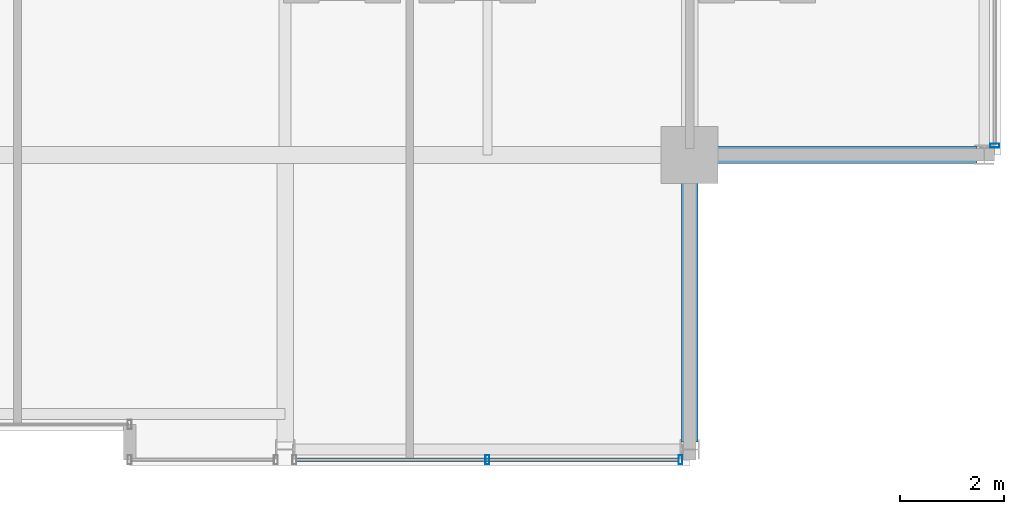
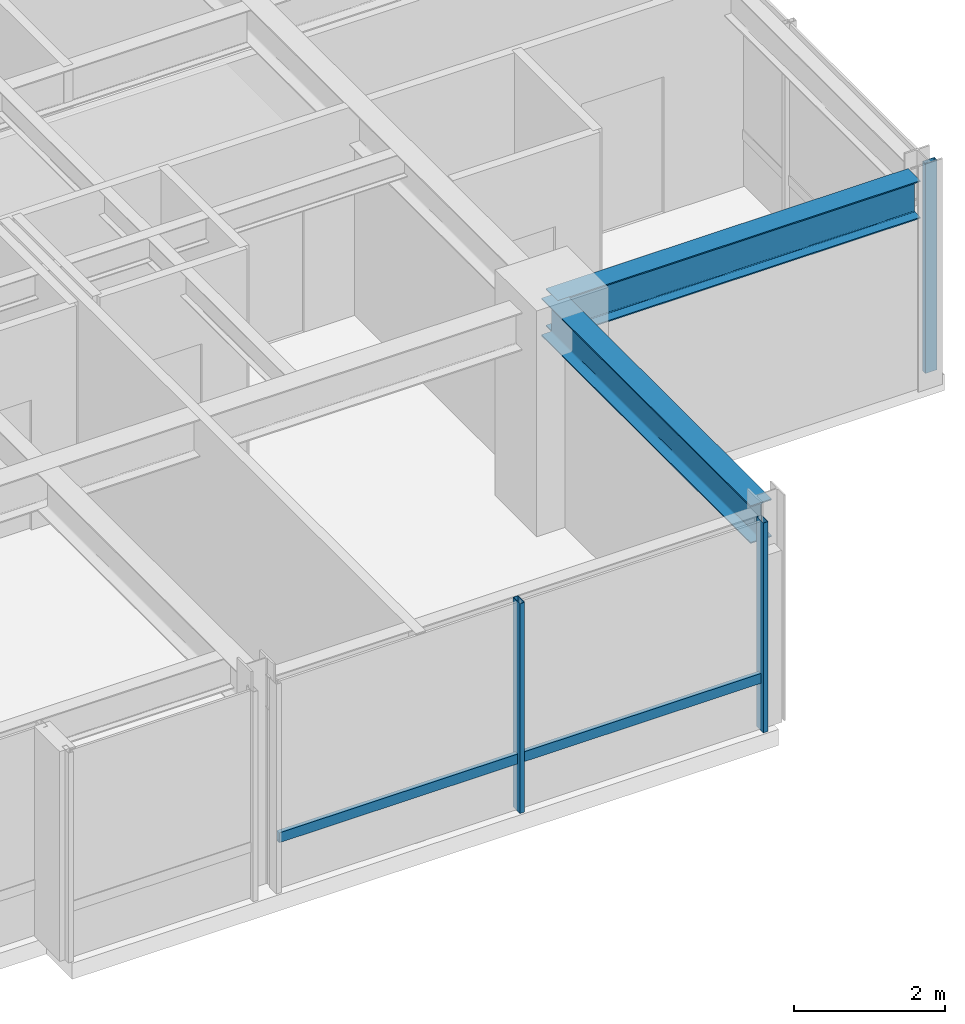
# One storey, part 15 of 33: 4 members, 2 beams, 2 elements without a shape of their own.
"""IFC4 building model written with IfcOpenShell, lengths in metres."""

from ifc_helpers import new_model, si_unit, direction, frame, origin, origin_2d, place, context, subcontext, project, spatial, hollow_rectangle, i_section, extrude, material, layer, layer_set, material_profile, profile_set, type_object, element, aggregate, save


model = new_model("IFC4")

# Units and contexts
model_context = context("Model", 3, precision=1e-05, world=origin(), true_north=direction((0.0, 1.0)))
body_context = subcontext(model_context, "Body", "Model", "MODEL_VIEW")
ifc_project = project(units=[si_unit("LENGTHUNIT", "METRE"), si_unit("AREAUNIT", "SQUARE_METRE"), si_unit("VOLUMEUNIT", "CUBIC_METRE"), si_unit("PLANEANGLEUNIT", "RADIAN"), si_unit("MASSUNIT", "GRAM", prefix="KILO")], contexts=[model_context])

# Site, building, storey
site_placement = place(None, origin())
site = spatial("IfcSite", under=ifc_project, at=site_placement, CompositionType="ELEMENT")
building_placement = place(site_placement, origin())
building = spatial("IfcBuilding", under=site, at=building_placement, Name="Drelvath Grand Hotel", CompositionType="ELEMENT")
storey_placement = place(building_placement, frame((0.0, 0.0, 268.64990234375)))
storey = spatial("IfcBuildingStorey", under=building, at=storey_placement, Name="L70", CompositionType="ELEMENT", Elevation=268.64990234375)

# Curtain wall, member
ifc_material_1 = material(Name="Platinum-Mist Anodised Aluminium Frame", Category="aluminium")
ifc_layer = layer(ifc_material_1, 0.199951171875)
ifc_layer_set = layer_set([ifc_layer], Name="Platinum-Mist Anodised Aluminium Frame")
curtain_wall_type = type_object("IfcCurtainWallType", Name="Stick Curtain Wall CW-05 Platinum Mist High-Rise", PredefinedType="NOTDEFINED", material=ifc_layer_set)
curtain_wall_1_placement = place(storey_placement, origin())
curtain_wall_1 = element("IfcCurtainWall", 1, at=curtain_wall_1_placement, inside=storey, type_object=curtain_wall_type, Name="L70 CW-05 Curtain Wall CW05-L70-SE2", PredefinedType="NOTDEFINED")
ifc_material_profile_1 = material_profile(ifc_material_1, hollow_rectangle(XDim=0.06494140625, YDim=0.159912109375, WallThickness=0.00390625, at=origin_2d()), Name="HSS160X65X4")
ifc_profile_set_1 = profile_set([ifc_material_profile_1], Name="Platinum-Mist Anodised Aluminium Frame")
member_type_1 = type_object("IfcMemberType", Name="Curtain Wall Horizontal Transom CW-05 HSS160X65X4", PredefinedType="USERDEFINED", material=ifc_profile_set_1)
member_1_placement = place(storey_placement, frame((15.981689453125, 4.919921875, 0.84765625), z_axis=(-1.0, 0.0, 0.0), x_axis=(0.0, -1.0, 0.0)))
member_1 = element("IfcMember", 2, at=member_1_placement, type_object=member_type_1, Name="CW05-L70-SE2 Sill Transom", ObjectType="TRANSOM", PredefinedType="USERDEFINED", context=body_context, shape_type="SweptSolid", body=[
    extrude(hollow_rectangle(XDim=0.06494140625, YDim=0.159912109375, WallThickness=0.00390625, at=origin_2d()), origin(), (0.0, 0.0, 1.0), 7.363525390625),
])

curtain_wall_2_placement = place(storey_placement, origin())
curtain_wall_2 = element("IfcCurtainWall", 3, at=curtain_wall_2_placement, inside=storey, type_object=curtain_wall_type, Name="L70 CW-05 Curtain Wall CW05-L70-ES1", PredefinedType="NOTDEFINED")
ifc_material_profile_2 = material_profile(ifc_material_1, hollow_rectangle(XDim=0.074951171875, YDim=0.179931640625, WallThickness=0.0048828125, at=origin_2d()), Name="HSS180X75X5")
ifc_profile_set_2 = profile_set([ifc_material_profile_2], Name="Platinum-Mist Anodised Aluminium Frame")
member_type_2 = type_object("IfcMemberType", Name="Curtain Wall Vertical Mullion CW-05 HSS180X75X5", PredefinedType="MULLION", material=ifc_profile_set_2)
member_2_placement = place(storey_placement, frame((22.080078125, 10.978271484375, 0.0), z_axis=(0.0, 0.0, 1.0), x_axis=(0.0, 1.0, 0.0)))
member_2 = element("IfcMember", 4, at=member_2_placement, type_object=member_type_2, Name="CW05-L70-ES1 Mullion 3", PredefinedType="MULLION", context=body_context, shape_type="SweptSolid", body=[
    extrude(hollow_rectangle(XDim=0.074951171875, YDim=0.179931640625, WallThickness=0.0048828125, at=origin_2d()), origin(), (0.0, 0.0, 1.0), 3.39013671875),
])
aggregate(curtain_wall_2, [member_2])

# Member
member_3_placement = place(storey_placement, frame((16.021728515625, 4.919921875, 0.0), z_axis=(0.0, 0.0, 1.0), x_axis=(1.0, 0.0, 0.0)))
member_3 = element("IfcMember", 5, at=member_3_placement, type_object=member_type_2, Name="CW05-L70-SE2 Mullion 1", PredefinedType="MULLION", context=body_context, shape_type="SweptSolid", body=[
    extrude(hollow_rectangle(XDim=0.074951171875, YDim=0.179931640625, WallThickness=0.0048828125, at=origin_2d()), origin(), (0.0, 0.0, 1.0), 3.39013671875),
])

member_4_placement = place(storey_placement, frame((12.300048828125, 4.919921875, 0.0), z_axis=(0.0, 0.0, 1.0), x_axis=(1.0, 0.0, 0.0)))
member_4 = element("IfcMember", 6, at=member_4_placement, type_object=member_type_2, Name="CW05-L70-SE2 Mullion 2", PredefinedType="MULLION", context=body_context, shape_type="SweptSolid", body=[
    extrude(hollow_rectangle(XDim=0.074951171875, YDim=0.179931640625, WallThickness=0.0048828125, at=origin_2d()), origin(), (0.0, 0.0, 1.0), 3.39013671875),
])

aggregate(curtain_wall_1, [member_3, member_4, member_1])

# Beams
ifc_material_2 = material(Name="Steel ASTM A992 Gr 50", Category="steel")
ifc_material_profile_3 = material_profile(ifc_material_2, i_section(OverallWidth=0.323974609375, OverallDepth=0.611083984375, WebThickness=0.0126953125, FlangeThickness=0.01904296875, FilletRadius=0.02197265625, at=origin_2d()), Name="W24X104")
ifc_profile_set_3 = profile_set([ifc_material_profile_3], Name="Steel ASTM A992 Gr 50")
beam_type = type_object("IfcBeamType", Name="Primary Floor Girder W24X104", PredefinedType="BEAM", material=ifc_profile_set_3)
for number, where, z_axis, x_axis, name in (
    (7, (16.199951171875, 10.800048828125, 3.084716796875), (1.0, 0.0, 0.0), (0.0, 1.0, 0.0), "L70 East Grid Girder C"),
    (8, (16.199951171875, 5.260009765625, 3.084716796875), (0.0, 1.0, 0.0), (-1.0, 0.0, 0.0), "L70 South Grid Girder 7"),
):
    element("IfcBeam", number, at=place(storey_placement, frame(where, z_axis=z_axis, x_axis=x_axis)), inside=storey, type_object=beam_type, Name=name, PredefinedType="BEAM", context=body_context, shape_type="SweptSolid", body=[
        extrude(i_section(OverallWidth=0.323974609375, OverallDepth=0.611083984375, WebThickness=0.0126953125, FlangeThickness=0.01904296875, FilletRadius=0.02197265625, at=origin_2d()), origin(), (0.0, 0.0, 1.0), 5.5400390625),
    ])

save(model, "model.ifc")
